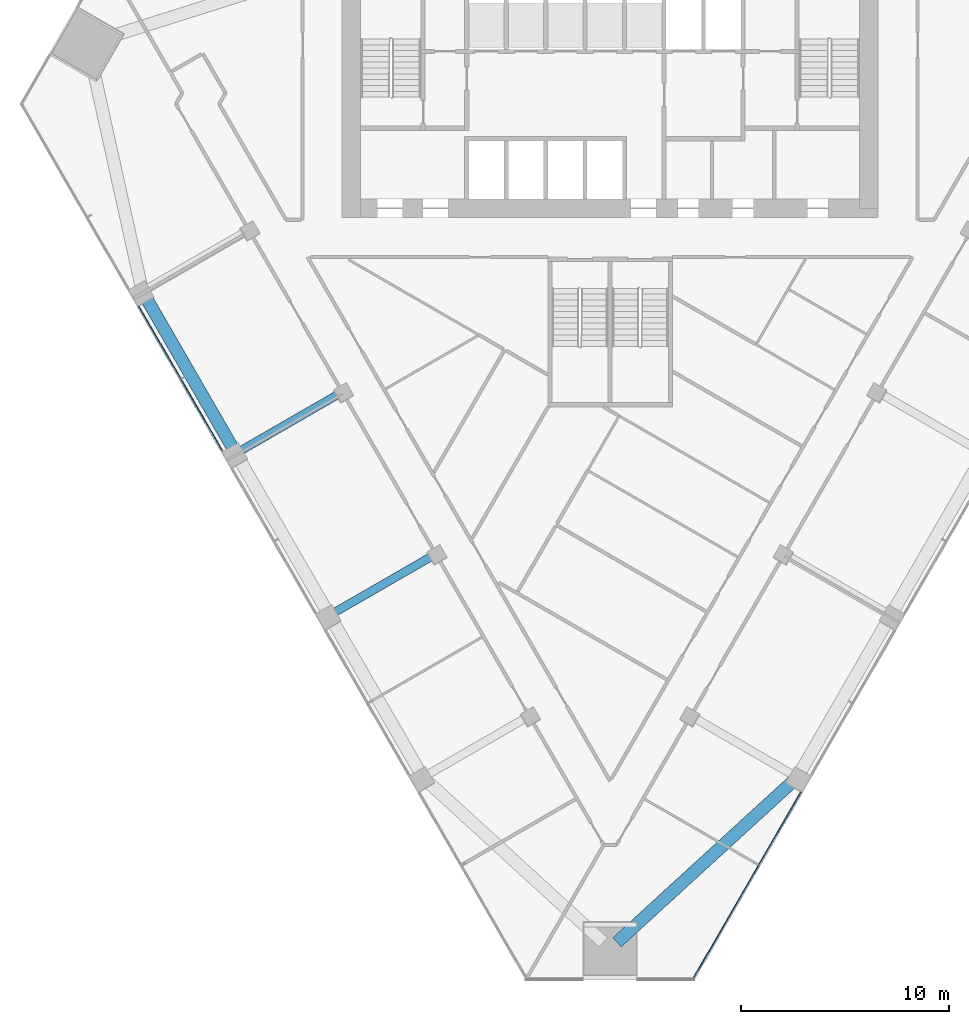
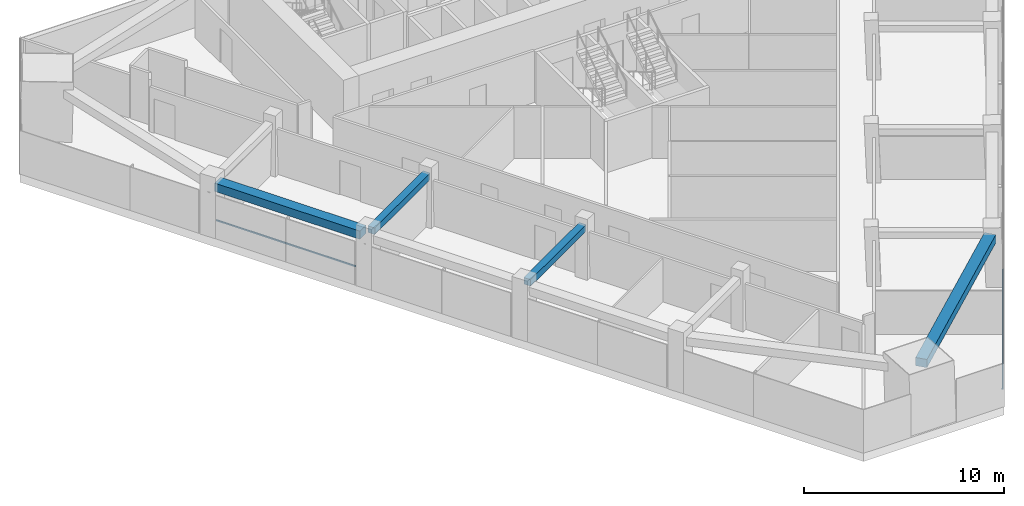
# One storey, part 3 of 14: 4 beams, 2 members, 2 elements without a shape of their own.
"""IFC4 building model written with IfcOpenShell, lengths in metres."""

import ifcopenshell
import ifcopenshell.guid

model = None  # the IFC model being written
_history = None  # IfcOwnerHistory: only IFC2X3 demands one
_inside = {}  # id of a spatial element -> (the spatial element, [elements in it])
_under = {}  # id of a project, library or spatial element -> (it, [spatial elements below it])
_declared = {}  # id of a project -> (the project, [libraries it declares])
_typed = {}  # id of a type object -> (the type object, [elements of that type])
_made_of = {}  # id of a material, layer set ... -> (it, [elements and type objects made of it])


def new_model(schema):
    """Start an empty IFC model of exactly this schema.

    Asked for "IFC4X3", IfcOpenShell would pick the latest addendum, in which some entities
    have other attributes; the version numbers below select the first issue.
    IFC2X3 requires an IfcOwnerHistory on every rooted entity: one is made here for all.
    """
    global model, _history
    if schema == "IFC4X3":
        model = ifcopenshell.file(schema_version=(4, 3, 0, 0))
    else:
        model = ifcopenshell.file(schema=schema)
    _inside.clear()
    _under.clear()
    _declared.clear()
    _typed.clear()
    _made_of.clear()
    _history = None
    if model.schema == "IFC2X3":
        org = make("IfcOrganization", Name="unknown")
        user = make(
            "IfcPersonAndOrganization",
            ThePerson=make("IfcPerson", FamilyName="unknown"),
            TheOrganization=org,
        )
        app = make(
            "IfcApplication",
            ApplicationDeveloper=org,
            Version="unknown",
            ApplicationFullName="unknown",
            ApplicationIdentifier="unknown",
        )
        _history = make(
            "IfcOwnerHistory",
            OwningUser=user,
            OwningApplication=app,
            ChangeAction="ADDED",
            CreationDate=0,
        )
    return model


def make(cls, **values):
    """One entity of the class cls with the attributes given. An attribute that is None is left unset."""
    return model.create_entity(
        cls, **{name: value for name, value in values.items() if value is not None}
    )


def rooted(cls, **values):
    """An entity with a GlobalId (a new one), such as an element, a storey or a relation."""
    return make(cls, GlobalId=ifcopenshell.guid.new(), OwnerHistory=_history, **values)


def si_unit(unit_type, name, prefix=None):
    """IfcSIUnit, for example si_unit("LENGTHUNIT", "METRE", prefix="MILLI")."""
    return make("IfcSIUnit", UnitType=unit_type, Prefix=prefix, Name=name)


def assignment(units):
    """IfcUnitAssignment: the units of a project."""
    return None if units is None else make("IfcUnitAssignment", Units=units)


def point(xyz):
    """IfcCartesianPoint."""
    return None if xyz is None else make("IfcCartesianPoint", Coordinates=xyz)


def direction(xyz):
    """IfcDirection."""
    return None if xyz is None else make("IfcDirection", DirectionRatios=xyz)


def frame(location, z_axis=None, x_axis=None):
    """IfcAxis2Placement3D, a coordinate frame: its origin and axes. An axis left out is left unset."""
    return make(
        "IfcAxis2Placement3D",
        Location=point(location),
        Axis=direction(z_axis),
        RefDirection=direction(x_axis),
    )


def frame_2d(location, x_axis=None):
    """IfcAxis2Placement2D, a coordinate frame in the plane: its origin and x axis."""
    return make(
        "IfcAxis2Placement2D", Location=point(location), RefDirection=direction(x_axis)
    )


def origin():
    """The frame at (0, 0, 0) with its axes left unset."""
    return frame((0.0, 0.0, 0.0))


def origin_2d():
    """The frame at (0, 0) in the plane with its x axis left unset."""
    return frame_2d((0.0, 0.0))


def place(relative_to, where):
    """IfcLocalPlacement: puts the frame where relative to a parent placement (None: the world)."""
    return make(
        "IfcLocalPlacement", PlacementRelTo=relative_to, RelativePlacement=where
    )


def context(
    kind, dimensions, precision=None, world=None, true_north=None, identifier=None
):
    """IfcGeometricRepresentationContext, for example the 3D "Model" context."""
    return make(
        "IfcGeometricRepresentationContext",
        ContextIdentifier=identifier,
        ContextType=kind,
        CoordinateSpaceDimension=dimensions,
        Precision=precision,
        WorldCoordinateSystem=world,
        TrueNorth=true_north,
    )


def subcontext(parent, identifier, kind, view, scale=None):
    """IfcGeometricRepresentationSubContext, for example "Body" below "Model"."""
    return make(
        "IfcGeometricRepresentationSubContext",
        ContextIdentifier=identifier,
        ContextType=kind,
        ParentContext=parent,
        TargetScale=scale,
        TargetView=view,
    )


def project(units=None, contexts=None):
    """IfcProject with its units and contexts."""
    return rooted(
        "IfcProject",
        Name="project",
        RepresentationContexts=contexts,
        UnitsInContext=assignment(units),
    )


def spatial(cls, under=None, at=None, **own):
    """A site, building, storey or space (cls), placed at a placement, below another one or the project."""
    s = rooted(cls, ObjectPlacement=at, **own)
    if under is not None:
        _under.setdefault(under.id(), (under, []))[1].append(s)
    return s


def profile(cls, at=None, kind="AREA", **sizes):
    """A parametric profile (cls). Its sizes go by their IFC names, for example OverallWidth=200.0."""
    return make(cls, ProfileType=kind, Position=at, **sizes)


def rectangle(**sizes):
    """IfcRectangleProfileDef."""
    return profile("IfcRectangleProfileDef", **sizes)


def extrude(swept, where, along, depth):
    """IfcExtrudedAreaSolid: the profile swept, set in the frame where, extruded along a direction by depth."""
    return make(
        "IfcExtrudedAreaSolid",
        SweptArea=swept,
        Position=where,
        ExtrudedDirection=direction(along),
        Depth=depth,
    )


def shape(context_of_items, identifier, shape_type, items):
    """IfcShapeRepresentation: the items that make up one representation, for example the "Body"."""
    return make(
        "IfcShapeRepresentation",
        ContextOfItems=context_of_items,
        RepresentationIdentifier=identifier,
        RepresentationType=shape_type,
        Items=items,
    )


def material(Name=None, Category=None):
    """IfcMaterial."""
    return make("IfcMaterial", Name=Name, Category=Category)


def layer(
    of_material, thickness, ventilated=None, Name=None, Category=None, Priority=None
):
    """IfcMaterialLayer: one layer of a wall or slab, of a material (None: an air gap)."""
    return make(
        "IfcMaterialLayer",
        Material=of_material,
        LayerThickness=thickness,
        IsVentilated=ventilated,
        Name=Name,
        Category=Category,
        Priority=Priority,
    )


def layer_set(layers, Name=None):
    """IfcMaterialLayerSet."""
    return make("IfcMaterialLayerSet", MaterialLayers=layers, LayerSetName=Name)


def material_profile(
    of_material, cross_section, Name=None, Category=None, Priority=None
):
    """IfcMaterialProfile: a cross section and its material."""
    return make(
        "IfcMaterialProfile",
        Name=Name,
        Material=of_material,
        Profile=cross_section,
        Priority=Priority,
        Category=Category,
    )


def profile_set(profiles, Name=None, composite=None):
    """IfcMaterialProfileSet."""
    return make(
        "IfcMaterialProfileSet",
        Name=Name,
        MaterialProfiles=profiles,
        CompositeProfile=composite,
    )


def made_of(thing, what):
    """Note that an element or type object is made of a material, layer set ...; save() writes the relation."""
    if what is not None:
        _made_of.setdefault(what.id(), (what, []))[1].append(thing)
    return thing


def type_object(cls, material=None, **own):
    """A type object (cls), such as IfcWallType, which elements share."""
    return made_of(rooted(cls, **own), material)


def element(
    cls,
    number,
    at=None,
    inside=None,
    cuts=None,
    type_object=None,
    material=None,
    context=None,
    identifier="Body",
    shape_type=None,
    held_by="IfcProductDefinitionShape",
    body=None,
    shapes=None,
    **own,
):
    """One element of the class cls, such as IfcWall. Its Tag is "e" and its number.

    at: its placement. inside: the storey or other place that contains it. cuts: it is an
    opening in that element (IfcRelVoidsElement). A single representation is given by context,
    identifier, shape_type and body (its items); several are given by shapes. held_by: the class
    of the entity that holds the representations. save() writes the other relations.
    """
    e = rooted(cls, Tag="e%d" % number, ObjectPlacement=at, **own)
    if body is not None:
        shapes = [shape(context, identifier, shape_type, body)]
    if shapes is not None:
        e.Representation = make(held_by, Representations=shapes)
    if inside is not None:
        _inside.setdefault(inside.id(), (inside, []))[1].append(e)
    if cuts is not None:
        rooted(
            "IfcRelVoidsElement", RelatingBuildingElement=cuts, RelatedOpeningElement=e
        )
    if type_object is not None:
        _typed.setdefault(type_object.id(), (type_object, []))[1].append(e)
    return made_of(e, material)


def aggregate(whole, parts):
    """IfcRelAggregates: a whole, such as a stair, and the parts it consists of."""
    return rooted("IfcRelAggregates", RelatingObject=whole, RelatedObjects=parts)


def save(model, path):
    """Write the relations noted so far, then the file.

    IfcRelAggregates (storeys below a building ...), IfcRelContainedInSpatialStructure (elements
    in a storey), IfcRelDefinesByType, IfcRelAssociatesMaterial and IfcRelDeclares: one each for
    every whole, place, type object, material and project.
    """
    for whole, parts in _under.values():
        aggregate(whole, parts)
    for where, things in _inside.values():
        rooted(
            "IfcRelContainedInSpatialStructure",
            RelatedElements=things,
            RelatingStructure=where,
        )
    for kind, things in _typed.values():
        rooted("IfcRelDefinesByType", RelatedObjects=things, RelatingType=kind)
    for what, things in _made_of.values():
        rooted("IfcRelAssociatesMaterial", RelatedObjects=things, RelatingMaterial=what)
    for by, libraries in _declared.values():
        rooted("IfcRelDeclares", RelatingContext=by, RelatedDefinitions=libraries)
    model.write(path)


model = new_model("IFC4")

# Units and contexts
model_context = context("Model", 3, precision=1e-05, world=origin(), true_north=direction((0.0, 1.0)))
body_context = subcontext(model_context, "Body", "Model", "MODEL_VIEW")
ifc_project = project(units=[si_unit("LENGTHUNIT", "METRE"), si_unit("AREAUNIT", "SQUARE_METRE"), si_unit("VOLUMEUNIT", "CUBIC_METRE"), si_unit("PLANEANGLEUNIT", "RADIAN"), si_unit("MASSUNIT", "GRAM", prefix="KILO")], contexts=[model_context])

# Site, building, storey
site_placement = place(None, origin())
site = spatial("IfcSite", under=ifc_project, at=site_placement, CompositionType="ELEMENT")
building_placement = place(site_placement, origin())
building = spatial("IfcBuilding", under=site, at=building_placement, Name="Altiplano Prism Tower", CompositionType="ELEMENT")
storey_placement = place(building_placement, frame((0.0, 0.0, 115.199951171875)))
storey = spatial("IfcBuildingStorey", under=building, at=storey_placement, Name="L29", CompositionType="ELEMENT", Elevation=115.199951171875)

# Curtain wall, member
ifc_material_1 = material(Name="Aluminium and glass", Category="aluminium")
ifc_layer = layer(ifc_material_1, 0.303955078125)
ifc_layer_set = layer_set([ifc_layer], Name="Aluminium and glass")
curtain_wall_type = type_object("IfcCurtainWallType", Name="CW2 lounge-band unitised glazing", PredefinedType="NOTDEFINED", material=ifc_layer_set)
curtain_wall_1_placement = place(storey_placement, origin())
curtain_wall_1 = element("IfcCurtainWall", 1, at=curtain_wall_1_placement, inside=storey, type_object=curtain_wall_type, Name="CW2 curtain wall south-west face L29", PredefinedType="NOTDEFINED")
ifc_material_2 = material(Name="Aluminium", Category="aluminium")
ifc_material_profile_1 = material_profile(ifc_material_2, rectangle(XDim=0.06005859375, YDim=0.080078125, at=origin_2d()), Name="CW2 transom 80 x 60")
ifc_profile_set_1 = profile_set([ifc_material_profile_1], Name="Aluminium")
member_type = type_object("IfcMemberType", Name="CW2 transom 80 x 60", PredefinedType="USERDEFINED", material=ifc_profile_set_1)
member_1_placement = place(storey_placement, frame((62.312744140625, 88.232421875, 1.10009765625), z_axis=(0.499989486807, -0.866031473494, 0.0), x_axis=(0.866031473494, 0.499989486807, 0.0)))
member_1 = element("IfcMember", 2, at=member_1_placement, type_object=member_type, Name="CW2 transom", ObjectType="TRANSOM", PredefinedType="USERDEFINED", context=body_context, shape_type="SweptSolid", body=[
    extrude(rectangle(XDim=0.06005859375, YDim=0.080078125, at=origin_2d()), origin(), (0.0, 0.0, 1.0), 8.019775390625),
])
aggregate(curtain_wall_1, [member_1])

curtain_wall_2_placement = place(storey_placement, origin())
curtain_wall_2 = element("IfcCurtainWall", 3, at=curtain_wall_2_placement, inside=storey, type_object=curtain_wall_type, Name="CW2 curtain wall south-east face L29", PredefinedType="NOTDEFINED")
member_2_placement = place(storey_placement, frame((88.992919921875, 55.852783203125, 1.10009765625), z_axis=(0.500001149715, 0.866024739995, 0.0), x_axis=(-0.866024739995, 0.500001149715, 0.0)))
member_2 = element("IfcMember", 4, at=member_2_placement, type_object=member_type, Name="CW2 transom", ObjectType="TRANSOM", PredefinedType="USERDEFINED", context=body_context, shape_type="SweptSolid", body=[
    extrude(rectangle(XDim=0.06005859375, YDim=0.080078125, at=origin_2d()), origin(), (0.0, 0.0, 1.0), 10.388671875),
])
aggregate(curtain_wall_2, [member_2])

# Beams
ifc_material_3 = material(Name="Concrete C60/75", Category="concrete")
ifc_material_profile_2 = material_profile(ifc_material_3, rectangle(XDim=0.60009765625, YDim=0.5, at=origin_2d()), Name="Edge beam 600x500")
ifc_profile_set_2 = profile_set([ifc_material_profile_2], Name="Concrete C60/75")
beam_type_1 = type_object("IfcBeamType", Name="Edge beam 600x500", PredefinedType="SPANDREL", material=ifc_profile_set_2)
beam_1_placement = place(storey_placement, frame((62.6455078125, 88.68505859375, 2.900146484375), z_axis=(0.499988621418, -0.866031973112, 0.0), x_axis=(0.866031973112, 0.499988621418, 0.0)))
element("IfcBeam", 5, at=beam_1_placement, inside=storey, type_object=beam_type_1, Name="Edge beam P11-P12 L30", PredefinedType="SPANDREL", context=body_context, shape_type="SweptSolid", body=[
    extrude(rectangle(XDim=0.60009765625, YDim=0.5, at=origin_2d()), origin(), (0.0, 0.0, 1.0), 8.389892578125),
])
beam_2_placement = place(storey_placement, frame((85.33203125, 57.630126953125, 2.900146484375), z_axis=(0.737823062716, 0.674994168956, 0.0), x_axis=(-0.674994168956, 0.737823062716, 0.0)))
element("IfcBeam", 6, at=beam_2_placement, inside=storey, type_object=beam_type_1, Name="Edge beam M1-P21 L30", PredefinedType="SPANDREL", context=body_context, shape_type="SweptSolid", body=[
    extrude(rectangle(XDim=0.60009765625, YDim=0.5, at=origin_2d()), origin(), (0.0, 0.0, 1.0), 11.43212890625),
])
ifc_material_profile_3 = material_profile(ifc_material_3, rectangle(XDim=0.39990234375, YDim=0.39990234375, at=origin_2d()), Name="Tie beam 400x400")
ifc_profile_set_3 = profile_set([ifc_material_profile_3], Name="Concrete C60/75")
beam_type_2 = type_object("IfcBeamType", Name="Tie beam 400x400", PredefinedType="BEAM", material=ifc_profile_set_3)
for number, where, z_axis, x_axis, name in (
    (7, (72.054931640625, 84.07763671875, 2.949951171875), (-0.866027073272, -0.499997108352, 0.0), (0.499997108352, -0.866027073272, 0.0), "Tie beam I12 L30"),
    (8, (76.554931640625, 76.283203125, 2.949951171875), (-0.866046155052, -0.499964056028, 0.0), (0.499964056028, -0.866046155052, 0.0), "Tie beam I13 L30"),
):
    element("IfcBeam", number, at=place(storey_placement, frame(where, z_axis=z_axis, x_axis=x_axis)), inside=storey, type_object=beam_type_2, Name=name, PredefinedType="BEAM", context=body_context, shape_type="SweptSolid", body=[
        extrude(rectangle(XDim=0.39990234375, YDim=0.39990234375, at=origin_2d()), origin(), (0.0, 0.0, 1.0), 5.5400390625),
    ])

save(model, "model.ifc")
